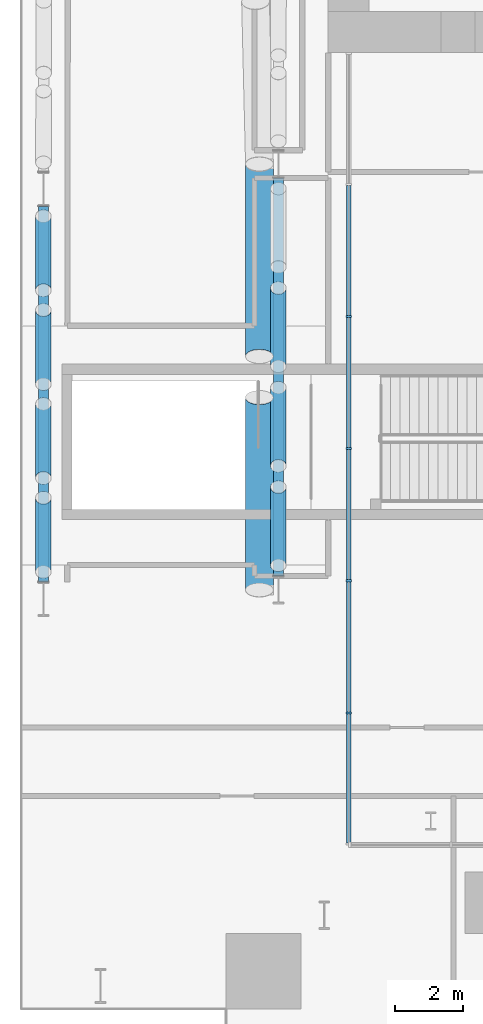
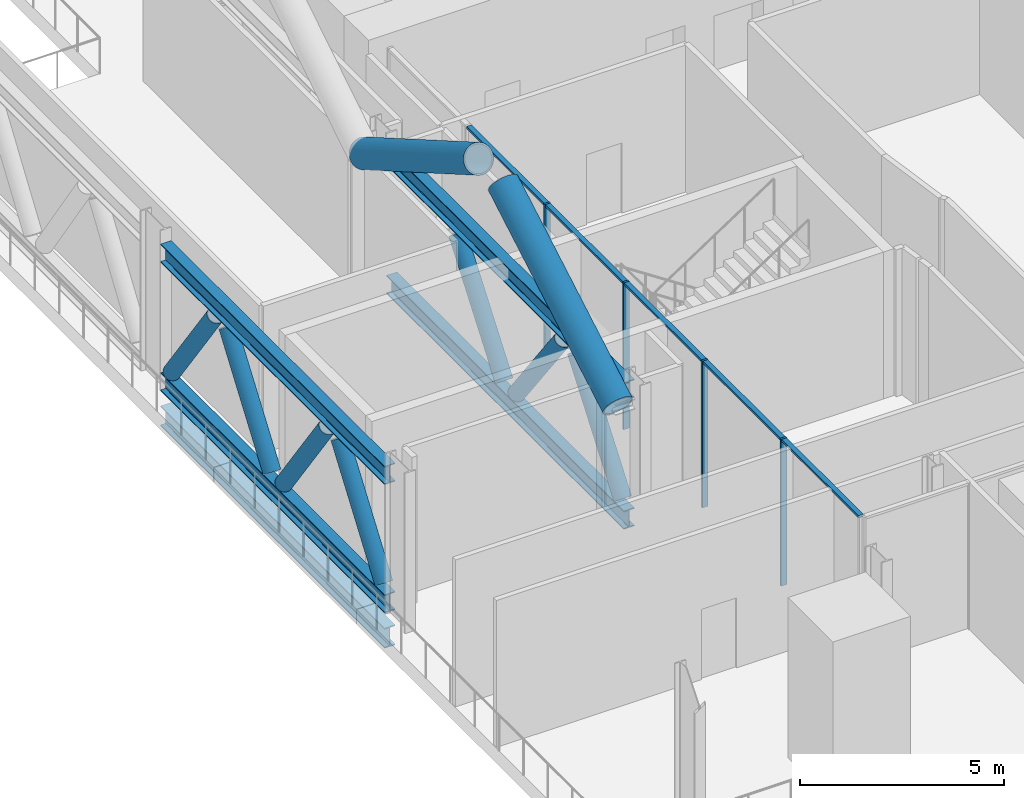
# One storey, part 6 of 39: 22 members, 1 beam, 1 element without a shape of its own.
"""IFC4 building model written with IfcOpenShell, lengths in metres."""

from ifc_helpers import new_model, si_unit, direction, frame, origin, origin_2d, place, context, subcontext, project, spatial, rectangle, hollow_circle, i_section, extrude, material, material_profile, profile_set, type_object, element, aggregate, save


model = new_model("IFC4")

# Units and contexts
model_context = context("Model", 3, precision=1e-05, world=origin(), true_north=direction((0.0, 1.0)))
body_context = subcontext(model_context, "Body", "Model", "MODEL_VIEW")
ifc_project = project(units=[si_unit("LENGTHUNIT", "METRE"), si_unit("AREAUNIT", "SQUARE_METRE"), si_unit("VOLUMEUNIT", "CUBIC_METRE"), si_unit("PLANEANGLEUNIT", "RADIAN"), si_unit("MASSUNIT", "GRAM", prefix="KILO")], contexts=[model_context])

# Site, building, storey
site_placement = place(None, origin())
site = spatial("IfcSite", under=ifc_project, at=site_placement, CompositionType="ELEMENT")
building_placement = place(site_placement, origin())
building = spatial("IfcBuilding", under=site, at=building_placement, Name="Wharfspan Tower", CompositionType="ELEMENT")
storey_placement = place(building_placement, frame((0.0, 0.0, 91.899902)))
storey = spatial("IfcBuildingStorey", under=building, at=storey_placement, Name="L20", CompositionType="ELEMENT", Elevation=91.899902)

# Beam
ifc_material_1 = material(Name="Steel S355J2", Category="steel")
ifc_material_profile_1 = material_profile(ifc_material_1, i_section(OverallWidth=0.300049, OverallDepth=0.600098, WebThickness=0.015381, FlangeThickness=0.030029, FilletRadius=0.0271, at=origin_2d()))
ifc_profile_set_1 = profile_set([ifc_material_profile_1], Name="Steel S355J2")
beam_type = type_object("IfcBeamType", Name="Edge beam HEB 600", PredefinedType="SPANDREL", material=ifc_profile_set_1)
beam_placement = place(storey_placement, frame((0.659912, 29.5, -0.75), z_axis=(0.0, -1.0, 0.0), x_axis=(1.0, 0.0, 0.0)))
element("IfcBeam", 1, at=beam_placement, inside=storey, type_object=beam_type, Name="Edge beam W L20 PW.1 to PW.2", PredefinedType="SPANDREL", context=body_context, shape_type="SweptSolid", body=[
    extrude(i_section(OverallWidth=0.300049, OverallDepth=0.600098, WebThickness=0.015381, FlangeThickness=0.030029, FilletRadius=0.0271, at=origin_2d()), origin(), (0.0, 0.0, 1.0), 11.0),
])

# Curtain wall, members
ifc_material_2 = material(Name="Aluminium 6063-T6", Category="aluminium")
curtain_wall_type = type_object("IfcCurtainWallType", Name="CURTAIN WALL BAND RECESS", PredefinedType="NOTDEFINED", material=ifc_material_2)
curtain_wall_placement = place(storey_placement, origin())
curtain_wall = element("IfcCurtainWall", 2, at=curtain_wall_placement, inside=storey, type_object=curtain_wall_type, Name="Recess glazing R2", PredefinedType="NOTDEFINED")
ifc_material_profile_2 = material_profile(ifc_material_2, rectangle(XDim=0.159912, YDim=0.060059, at=origin_2d()))
ifc_profile_set_2 = profile_set([ifc_material_profile_2], Name="Aluminium 6063-T6")
member_type_1 = type_object("IfcMemberType", Name="MULLION BAND RECESS 60x160", PredefinedType="MULLION", material=ifc_profile_set_2)
member_1_placement = place(storey_placement, frame((9.600098, 14.666748, 0.0), z_axis=(0.0, 0.0, 1.0), x_axis=(-1.0, 0.0, 0.0)))
member_1 = element("IfcMember", 3, at=member_1_placement, type_object=member_type_1, Name="Recess glazing R2 mullion 2", PredefinedType="MULLION", context=body_context, shape_type="SweptSolid", body=[
    extrude(rectangle(XDim=0.159912, YDim=0.060059, at=origin_2d()), origin(), (0.0, 0.0, 1.0), 4.400146),
])
member_2_placement = place(storey_placement, frame((9.600098, 18.533447, 0.0), z_axis=(0.0, 0.0, 1.0), x_axis=(-1.0, 0.0, 0.0)))
member_2 = element("IfcMember", 4, at=member_2_placement, type_object=member_type_1, Name="Recess glazing R2 mullion 3", PredefinedType="MULLION", context=body_context, shape_type="SweptSolid", body=[
    extrude(rectangle(XDim=0.159912, YDim=0.060059, at=origin_2d()), origin(), (0.0, 0.0, 1.0), 4.400146),
])
member_3_placement = place(storey_placement, frame((9.600098, 22.399902, 0.0), z_axis=(0.0, 0.0, 1.0), x_axis=(-1.0, 0.0, 0.0)))
member_3 = element("IfcMember", 5, at=member_3_placement, type_object=member_type_1, Name="Recess glazing R2 mullion 4", PredefinedType="MULLION", context=body_context, shape_type="SweptSolid", body=[
    extrude(rectangle(XDim=0.159912, YDim=0.060059, at=origin_2d()), origin(), (0.0, 0.0, 1.0), 4.400146),
])
member_4_placement = place(storey_placement, frame((9.600098, 26.266602, 0.0), z_axis=(0.0, 0.0, 1.0), x_axis=(-1.0, 0.0, 0.0)))
member_4 = element("IfcMember", 6, at=member_4_placement, type_object=member_type_1, Name="Recess glazing R2 mullion 5", PredefinedType="MULLION", context=body_context, shape_type="SweptSolid", body=[
    extrude(rectangle(XDim=0.159912, YDim=0.060059, at=origin_2d()), origin(), (0.0, 0.0, 1.0), 4.400146),
])

# Members
ifc_material_3 = material(Name="Steel S460NH", Category="steel")
ifc_material_profile_3 = material_profile(ifc_material_3, hollow_circle(Radius=0.406494, WallThickness=0.040039, at=origin_2d()))
ifc_profile_set_3 = profile_set([ifc_material_profile_3], Name="Steel S460NH")
member_type_2 = type_object("IfcMemberType", Name="Mega brace CHS 813x40", PredefinedType="BRACE", material=ifc_profile_set_3)
for number, where, z_axis, x_axis, name in (
    (7, (6.985107, 30.733398, 4.100098), (0.0, -0.865959, 0.500115), (1.0, 0.0, 0.0), "Mega brace W3 L21 part 1"),
    (8, (6.985107, 18.266602, 4.100098), (0.0, 0.865959, 0.500115), (-1.0, 0.0, 0.0), "Mega brace W3 L21 part 3"),
):
    element("IfcMember", number, at=place(storey_placement, frame(where, z_axis=z_axis, x_axis=x_axis)), inside=storey, type_object=member_type_2, Name=name, PredefinedType="BRACE", context=body_context, shape_type="SweptSolid", body=[
        extrude(hollow_circle(Radius=0.406494, WallThickness=0.040039, at=origin_2d()), origin(), (0.0, 0.0, 1.0), 6.498535),
    ])

# Member
ifc_material_profile_4 = material_profile(ifc_material_2, rectangle(XDim=0.139893, YDim=0.070068, at=origin_2d()))
ifc_profile_set_4 = profile_set([ifc_material_profile_4], Name="Aluminium 6063-T6")
member_type_3 = type_object("IfcMemberType", Name="TRANSOM BAND RECESS 70x140", PredefinedType="USERDEFINED", material=ifc_profile_set_4)
member_5_placement = place(storey_placement, frame((9.600098, 10.860107, 4.36499), z_axis=(0.0, 1.0, 0.0), x_axis=(-1.0, 0.0, 0.0)))
member_5 = element("IfcMember", 9, at=member_5_placement, type_object=member_type_3, Name="Recess glazing R2 transom 1", ObjectType="TRANSOM", PredefinedType="USERDEFINED", context=body_context, shape_type="SweptSolid", body=[
    extrude(rectangle(XDim=0.139893, YDim=0.070068, at=origin_2d()), origin(), (0.0, 0.0, 1.0), 3.776611),
])

member_6_placement = place(storey_placement, frame((9.600098, 14.696777, 4.36499), z_axis=(0.0, 1.0, 0.0), x_axis=(-1.0, 0.0, 0.0)))
member_6 = element("IfcMember", 10, at=member_6_placement, type_object=member_type_3, Name="Recess glazing R2 transom 2", ObjectType="TRANSOM", PredefinedType="USERDEFINED", context=body_context, shape_type="SweptSolid", body=[
    extrude(rectangle(XDim=0.139893, YDim=0.070068, at=origin_2d()), origin(), (0.0, 0.0, 1.0), 3.806641),
])

member_7_placement = place(storey_placement, frame((9.600098, 18.563232, 4.36499), z_axis=(0.0, 1.0, 0.0), x_axis=(-1.0, 0.0, 0.0)))
member_7 = element("IfcMember", 11, at=member_7_placement, type_object=member_type_3, Name="Recess glazing R2 transom 3", ObjectType="TRANSOM", PredefinedType="USERDEFINED", context=body_context, shape_type="SweptSolid", body=[
    extrude(rectangle(XDim=0.139893, YDim=0.070068, at=origin_2d()), origin(), (0.0, 0.0, 1.0), 3.806885),
])

member_8_placement = place(storey_placement, frame((9.600098, 22.429932, 4.36499), z_axis=(0.0, 1.0, 0.0), x_axis=(-1.0, 0.0, 0.0)))
member_8 = element("IfcMember", 12, at=member_8_placement, type_object=member_type_3, Name="Recess glazing R2 transom 4", ObjectType="TRANSOM", PredefinedType="USERDEFINED", context=body_context, shape_type="SweptSolid", body=[
    extrude(rectangle(XDim=0.139893, YDim=0.070068, at=origin_2d()), origin(), (0.0, 0.0, 1.0), 3.806641),
])

member_9_placement = place(storey_placement, frame((9.600098, 26.296631, 4.36499), z_axis=(0.0, 1.0, 0.0), x_axis=(-1.0, 0.0, 0.0)))
member_9 = element("IfcMember", 13, at=member_9_placement, type_object=member_type_3, Name="Recess glazing R2 transom 5", ObjectType="TRANSOM", PredefinedType="USERDEFINED", context=body_context, shape_type="SweptSolid", body=[
    extrude(rectangle(XDim=0.139893, YDim=0.070068, at=origin_2d()), origin(), (0.0, 0.0, 1.0), 3.806641),
])

aggregate(curtain_wall, [member_1, member_2, member_3, member_4, member_5, member_6, member_7, member_8, member_9])

# Members
ifc_material_profile_5 = material_profile(ifc_material_1, i_section(OverallWidth=0.300049, OverallDepth=0.550049, WebThickness=0.014893, FlangeThickness=0.029053, FilletRadius=0.0271, at=origin_2d()))
ifc_profile_set_5 = profile_set([ifc_material_profile_5], Name="Steel S355J2")
member_type_4 = type_object("IfcMemberType", Name="Truss chord HEB 550", PredefinedType="CHORD", material=ifc_profile_set_5)
for number, where, z_axis, x_axis, name in (
    (14, (7.540039, 30.326416, 4.125), (0.0, -1.0, 0.0), (1.0, 0.0, 0.0), "Belt truss chord T L20 W PW.1 to PW.2"),
    (15, (7.540039, 30.326416, 0.275146), (0.0, -1.0, 0.0), (1.0, 0.0, 0.0), "Belt truss chord B L20 W PW.1 to PW.2"),
):
    element("IfcMember", number, at=place(storey_placement, frame(where, z_axis=z_axis, x_axis=x_axis)), inside=storey, type_object=member_type_4, Name=name, PredefinedType="CHORD", context=body_context, shape_type="SweptSolid", body=[
        extrude(i_section(OverallWidth=0.300049, OverallDepth=0.550049, WebThickness=0.014893, FlangeThickness=0.029053, FilletRadius=0.0271, at=origin_2d()), origin(), (0.0, 0.0, 1.0), 11.652832),
    ])
for number, where, z_axis, x_axis, name in (
    (16, (0.659912, 29.496094, 4.125), (0.0, -1.0, 0.0), (1.0, 0.0, 0.0), "Belt truss chord T L20 W PW.1.S to PW.2.S"),
    (17, (0.659912, 29.496094, 0.275146), (0.0, -1.0, 0.0), (1.0, 0.0, 0.0), "Belt truss chord B L20 W PW.1.S to PW.2.S"),
):
    element("IfcMember", number, at=place(storey_placement, frame(where, z_axis=z_axis, x_axis=x_axis)), inside=storey, type_object=member_type_4, Name=name, PredefinedType="CHORD", context=body_context, shape_type="SweptSolid", body=[
        extrude(i_section(OverallWidth=0.300049, OverallDepth=0.550049, WebThickness=0.014893, FlangeThickness=0.029053, FilletRadius=0.0271, at=origin_2d()), origin(), (0.0, 0.0, 1.0), 10.992188),
    ])
ifc_material_profile_6 = material_profile(ifc_material_3, hollow_circle(Radius=0.228516, WallThickness=0.016113, at=origin_2d()))
ifc_profile_set_6 = profile_set([ifc_material_profile_6], Name="Steel S460NH")
member_type_5 = type_object("IfcMemberType", Name="Truss diagonal CHS 457x16", PredefinedType="BRACE", material=ifc_profile_set_6)
for number, where, z_axis, x_axis, name in (
    (18, (7.540039, 27.10083, 3.712158), (0.0, -0.603404, -0.797436), (1.0, 0.0, 0.0), "Belt truss diagonal L20 W PW.1 to PW.2 2"),
    (19, (7.540039, 24.1875, 0.687988), (0.0, -0.603404, 0.797436), (1.0, 0.0, 0.0), "Belt truss diagonal L20 W PW.1 to PW.2 3"),
    (20, (7.540039, 21.274414, 3.712158), (0.0, -0.603404, -0.797436), (1.0, 0.0, 0.0), "Belt truss diagonal L20 W PW.1 to PW.2 4"),
):
    element("IfcMember", number, at=place(storey_placement, frame(where, z_axis=z_axis, x_axis=x_axis)), inside=storey, type_object=member_type_5, Name=name, PredefinedType="BRACE", context=body_context, shape_type="SweptSolid", body=[
        extrude(hollow_circle(Radius=0.228516, WallThickness=0.016113, at=origin_2d()), origin(), (0.0, 0.0, 1.0), 3.79248),
    ])
for number, where, z_axis, x_axis, name in (
    (21, (0.659912, 29.205078, 0.682861), (0.0, -0.580984, 0.813915), (1.0, 0.0, 0.0), "Belt truss diagonal L20 W PW.1.S to PW.2.S 1"),
    (22, (0.659912, 26.457031, 3.717285), (0.0, -0.580984, -0.813915), (1.0, 0.0, 0.0), "Belt truss diagonal L20 W PW.1.S to PW.2.S 2"),
    (23, (0.659912, 23.708984, 0.682861), (0.0, -0.580984, 0.813915), (1.0, 0.0, 0.0), "Belt truss diagonal L20 W PW.1.S to PW.2.S 3"),
    (24, (0.659912, 20.960938, 3.717285), (0.0, -0.580984, -0.813915), (1.0, 0.0, 0.0), "Belt truss diagonal L20 W PW.1.S to PW.2.S 4"),
):
    element("IfcMember", number, at=place(storey_placement, frame(where, z_axis=z_axis, x_axis=x_axis)), inside=storey, type_object=member_type_5, Name=name, PredefinedType="BRACE", context=body_context, shape_type="SweptSolid", body=[
        extrude(hollow_circle(Radius=0.228516, WallThickness=0.016113, at=origin_2d()), origin(), (0.0, 0.0, 1.0), 3.728271),
    ])

save(model, "model.ifc")
